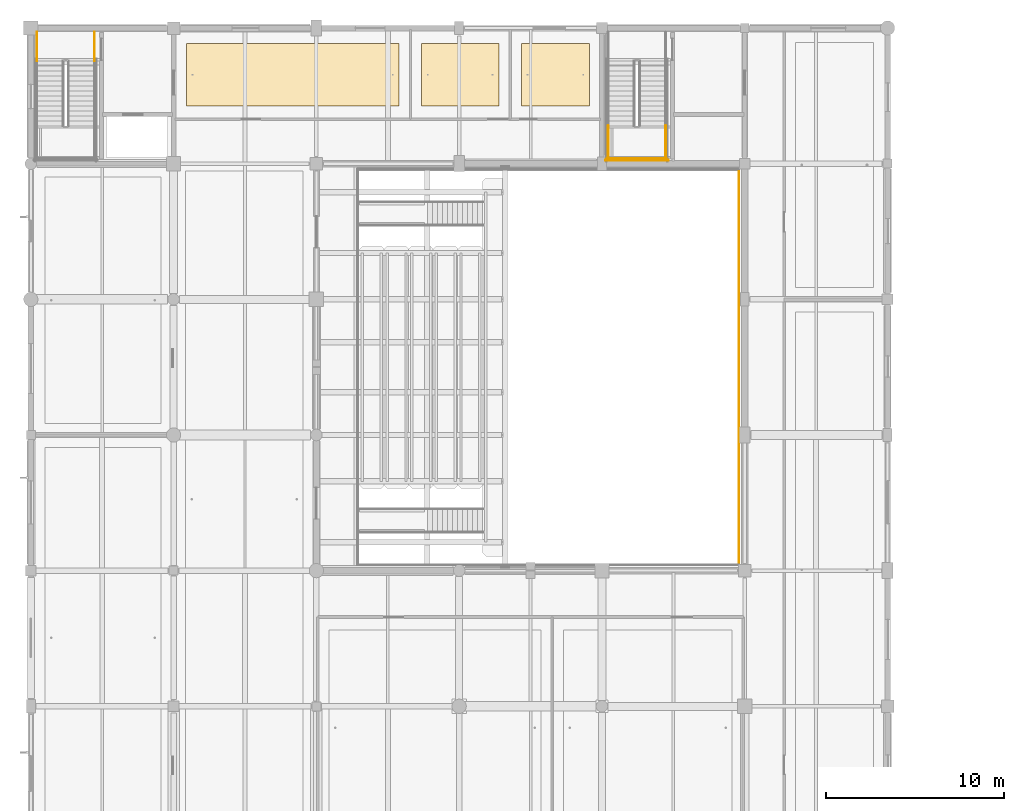
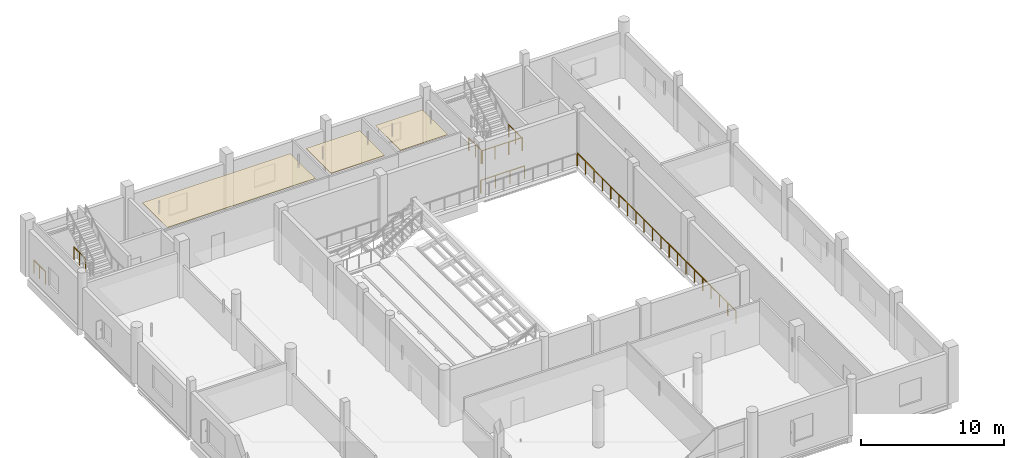
# One storey, part 140 of 147: 7 railings, 3 coverings.
"""IFC4 building model written with IfcOpenShell, lengths in metres."""

from ifc_helpers import new_model, si_unit, direction, frame, origin, origin_2d, place, context, subcontext, project, spatial, polyline, circle, outline, extrude, material, layer, layer_set, type_object, element, save


model = new_model("IFC4")

# Units and contexts
model_context = context("Model", 3, precision=1e-05, world=origin(), true_north=direction((0.0, 1.0)))
body_context = subcontext(model_context, "Body", "Model", "MODEL_VIEW")
ifc_project = project(units=[si_unit("LENGTHUNIT", "METRE"), si_unit("AREAUNIT", "SQUARE_METRE"), si_unit("VOLUMEUNIT", "CUBIC_METRE"), si_unit("PLANEANGLEUNIT", "RADIAN"), si_unit("MASSUNIT", "GRAM", prefix="KILO")], contexts=[model_context])

# Site, building, storey
site_placement = place(None, origin())
site = spatial("IfcSite", under=ifc_project, at=site_placement, CompositionType="ELEMENT")
building_placement = place(site_placement, origin())
building = spatial("IfcBuilding", under=site, at=building_placement, Name="Khelvaren Railside Concert Hall", CompositionType="ELEMENT")
storey_placement = place(building_placement, frame((0.0, 0.0, 5.39990234375)))
storey = spatial("IfcBuildingStorey", under=building, at=storey_placement, Name="L01", CompositionType="ELEMENT", Elevation=5.39990234375)

# Coverings
ifc_material_1 = material(Name="Mineral-wool acoustic baffle ceiling", Category="gypsum")
ifc_layer_1 = layer(ifc_material_1, 0.0400390625)
ifc_layer_set_1 = layer_set([ifc_layer_1], Name="Mineral-wool acoustic baffle ceiling")
covering_type_1 = type_object("IfcCoveringType", Name="CLG20", PredefinedType="CEILING", material=ifc_layer_set_1)
covering_1_placement = place(storey_placement, frame((0.0, 0.0, 3.41015625)))
element("IfcCovering", 1, at=covering_1_placement, inside=storey, type_object=covering_type_1, Name="Suspended Acoustic Ceiling Pavilion Public WC L01", PredefinedType="CEILING", context=body_context, shape_type="SweptSolid", body=[
    extrude(outline(polyline([(21.89794921875, 109.6298828125), (26.218017578125, 109.6298828125), (26.218017578125, 113.1201171875), (21.89794921875, 113.1201171875), (21.89794921875, 109.6298828125)])), origin(), (0.0, 0.0, 1.0), 0.0400390625),
])
ifc_material_2 = material(Name="Micro-perforated timber acoustic ceiling", Category="wood")
ifc_layer_2 = layer(ifc_material_2, 0.030029296875)
ifc_layer_set_2 = layer_set([ifc_layer_2], Name="Micro-perforated timber acoustic ceiling")
covering_type_2 = type_object("IfcCoveringType", Name="CLG77", PredefinedType="CEILING", material=ifc_layer_set_2)
covering_2_placement = place(storey_placement, frame((0.0, 0.0, 3.420166015625)))
element("IfcCovering", 2, at=covering_2_placement, inside=storey, type_object=covering_type_2, Name="Suspended Acoustic Ceiling Chamber Green Room L01", PredefinedType="CEILING", context=body_context, shape_type="SweptSolid", body=[
    extrude(outline(polyline([(8.7099609375, 109.6298828125), (20.637939453125, 109.6298828125), (20.637939453125, 113.1201171875), (8.7099609375, 113.1201171875), (8.7099609375, 109.6298828125)])), origin(), (0.0, 0.0, 1.0), 0.030029296875),
])
covering_3_placement = place(storey_placement, frame((0.0, 0.0, 3.420166015625)))
element("IfcCovering", 3, at=covering_3_placement, inside=storey, type_object=covering_type_2, Name="Suspended Acoustic Ceiling Pavilion Accessible WC L01", PredefinedType="CEILING", context=body_context, shape_type="SweptSolid", body=[
    extrude(outline(polyline([(27.47802734375, 109.6298828125), (31.2900390625, 109.6298828125), (31.2900390625, 113.1201171875), (27.47802734375, 113.1201171875), (27.47802734375, 109.6298828125)])), origin(), (0.0, 0.0, 1.0), 0.030029296875),
])

# Railings
ifc_material_3 = material(Name="Painted architectural steel", Category="steel")
railing_type_1 = type_object("IfcRailingType", Name="GRD86", PredefinedType="GUARDRAIL", material=ifc_material_3)
for number, where, name in (
    (4, (0.35009765625, 113.760009765625, 0.0), "L01 ST-07 stair guard 8"),
    (5, (3.570068359375, 113.760009765625, 0.0), "L01 ST-07 stair guard 9"),
):
    element("IfcRailing", number, at=place(storey_placement, frame(where)), inside=storey, type_object=railing_type_1, Name=name, PredefinedType="GUARDRAIL", context=body_context, shape_type="SweptSolid", body=[
        extrude(circle(Radius=0.02392578125, at=origin_2d()), frame((0.0, 0.0, 1.076171875), z_axis=(0.0, -1.0, 0.0), x_axis=(1.0, 0.0, 0.0)), (0.0, 0.0, 1.0), 1.60009765625),
        extrude(circle(Radius=0.02099609375, at=origin_2d()), origin(), (0.0, 0.0, 1.0), 1.052001953125),
        extrude(circle(Radius=0.02099609375, at=origin_2d()), frame((0.0, -0.800048828125, 0.0)), (0.0, 0.0, 1.0), 1.052001953125),
        extrude(circle(Radius=0.02099609375, at=origin_2d()), frame((0.0, -1.60009765625, 0.0)), (0.0, 0.0, 1.0), 1.052001953125),
    ])
for number, where, name in (
    (6, (32.35009765625, 108.52001953125, 2.400146484375), "L01 ST-08 stair guard 3"),
    (7, (35.570068359375, 108.52001953125, 2.400146484375), "L01 ST-08 stair guard 4"),
):
    element("IfcRailing", number, at=place(storey_placement, frame(where)), inside=storey, type_object=railing_type_1, Name=name, PredefinedType="GUARDRAIL", context=body_context, shape_type="SweptSolid", body=[
        extrude(circle(Radius=0.02392578125, at=origin_2d()), frame((0.0, 0.0, 1.076171875), z_axis=(0.0, -1.0, 0.0), x_axis=(1.0, 0.0, 0.0)), (0.0, 0.0, 1.0), 1.880126953125),
        extrude(circle(Radius=0.02099609375, at=origin_2d()), origin(), (0.0, 0.0, 1.0), 1.052001953125),
        extrude(circle(Radius=0.02099609375, at=origin_2d()), frame((0.0, -0.93994140625, 0.0)), (0.0, 0.0, 1.0), 1.052001953125),
        extrude(circle(Radius=0.02099609375, at=origin_2d()), frame((0.0, -1.880126953125, 0.0)), (0.0, 0.0, 1.0), 1.052001953125),
    ])
railing_1_placement = place(storey_placement, frame((32.300048828125, 106.68994140625, 2.400146484375)))
element("IfcRailing", 8, at=railing_1_placement, inside=storey, type_object=railing_type_1, Name="L01 ST-08 stair guard 5", PredefinedType="GUARDRAIL", context=body_context, shape_type="SweptSolid", body=[
    extrude(circle(Radius=0.02392578125, at=origin_2d()), frame((0.0, 0.0, 1.076171875), z_axis=(1.0, 0.0, 0.0), x_axis=(0.0, 1.0, 0.0)), (0.0, 0.0, 1.0), 3.320068359375),
    extrude(circle(Radius=0.02099609375, at=origin_2d()), origin(), (0.0, 0.0, 1.0), 1.052001953125),
    extrude(circle(Radius=0.02099609375, at=origin_2d()), frame((1.106689453125, 0.0, 0.0)), (0.0, 0.0, 1.0), 1.052001953125),
    extrude(circle(Radius=0.02099609375, at=origin_2d()), frame((2.21337890625, 0.0, 0.0)), (0.0, 0.0, 1.0), 1.052001953125),
    extrude(circle(Radius=0.02099609375, at=origin_2d()), frame((3.320068359375, 0.0, 0.0)), (0.0, 0.0, 1.0), 1.052001953125),
])
railing_2_placement = place(storey_placement, frame((32.199951171875, 106.590087890625, 0.0)))
element("IfcRailing", 9, at=railing_2_placement, inside=storey, type_object=railing_type_1, Name="L01 ST-08 stair guard 12", PredefinedType="GUARDRAIL", context=body_context, shape_type="SweptSolid", body=[
    extrude(circle(Radius=0.02392578125, at=origin_2d()), frame((0.0, 0.0, 1.076171875), z_axis=(1.0, 0.0, 0.0), x_axis=(0.0, 1.0, 0.0)), (0.0, 0.0, 1.0), 3.52001953125),
    extrude(circle(Radius=0.02099609375, at=origin_2d()), origin(), (0.0, 0.0, 1.0), 1.052001953125),
    extrude(circle(Radius=0.02099609375, at=origin_2d()), frame((1.17333984375, 0.0, 0.0)), (0.0, 0.0, 1.0), 1.052001953125),
    extrude(circle(Radius=0.02099609375, at=origin_2d()), frame((2.3466796875, 0.0, 0.0)), (0.0, 0.0, 1.0), 1.052001953125),
    extrude(circle(Radius=0.02099609375, at=origin_2d()), frame((3.52001953125, 0.0, 0.0)), (0.0, 0.0, 1.0), 1.052001953125),
])
ifc_material_4 = material(Name="Acoustic bronze and laminated glass guardrail", Category="glass")
railing_type_2 = type_object("IfcRailingType", Name="GRD91", PredefinedType="GUARDRAIL", material=ifc_material_4)
railing_3_placement = place(storey_placement, frame((39.679931640625, 83.919921875, 0.0)))
element("IfcRailing", 10, at=railing_3_placement, inside=storey, type_object=railing_type_2, Name="V4 L01 Acoustic Bowl Edge Guardrail E", PredefinedType="GUARDRAIL", context=body_context, shape_type="SweptSolid", body=[
    extrude(circle(Radius=0.02392578125, at=origin_2d()), frame((0.0, 0.0, 1.076171875), z_axis=(0.0, 1.0, 0.0), x_axis=(-1.0, 0.0, 0.0)), (0.0, 0.0, 1.0), 22.16015625),
    extrude(circle(Radius=0.02099609375, at=origin_2d()), origin(), (0.0, 0.0, 1.0), 1.052001953125),
    extrude(circle(Radius=0.02099609375, at=origin_2d()), frame((0.0, 1.166259765625, 0.0)), (0.0, 0.0, 1.0), 1.052001953125),
    extrude(circle(Radius=0.02099609375, at=origin_2d()), frame((0.0, 2.332763671875, 0.0)), (0.0, 0.0, 1.0), 1.052001953125),
    extrude(circle(Radius=0.02099609375, at=origin_2d()), frame((0.0, 3.4990234375, 0.0)), (0.0, 0.0, 1.0), 1.052001953125),
    extrude(circle(Radius=0.02099609375, at=origin_2d()), frame((0.0, 4.665283203125, 0.0)), (0.0, 0.0, 1.0), 1.052001953125),
    extrude(circle(Radius=0.02099609375, at=origin_2d()), frame((0.0, 5.83154296875, 0.0)), (0.0, 0.0, 1.0), 1.052001953125),
    extrude(circle(Radius=0.02099609375, at=origin_2d()), frame((0.0, 6.998046875, 0.0)), (0.0, 0.0, 1.0), 1.052001953125),
    extrude(circle(Radius=0.02099609375, at=origin_2d()), frame((0.0, 8.164306640625, 0.0)), (0.0, 0.0, 1.0), 1.052001953125),
    extrude(circle(Radius=0.02099609375, at=origin_2d()), frame((0.0, 9.33056640625, 0.0)), (0.0, 0.0, 1.0), 1.052001953125),
    extrude(circle(Radius=0.02099609375, at=origin_2d()), frame((0.0, 10.496826171875, 0.0)), (0.0, 0.0, 1.0), 1.052001953125),
    extrude(circle(Radius=0.02099609375, at=origin_2d()), frame((0.0, 11.663330078125, 0.0)), (0.0, 0.0, 1.0), 1.052001953125),
    extrude(circle(Radius=0.02099609375, at=origin_2d()), frame((0.0, 12.82958984375, 0.0)), (0.0, 0.0, 1.0), 1.052001953125),
    extrude(circle(Radius=0.02099609375, at=origin_2d()), frame((0.0, 13.995849609375, 0.0)), (0.0, 0.0, 1.0), 1.052001953125),
    extrude(circle(Radius=0.02099609375, at=origin_2d()), frame((0.0, 15.162109375, 0.0)), (0.0, 0.0, 1.0), 1.052001953125),
    extrude(circle(Radius=0.02099609375, at=origin_2d()), frame((0.0, 16.32861328125, 0.0)), (0.0, 0.0, 1.0), 1.052001953125),
    extrude(circle(Radius=0.02099609375, at=origin_2d()), frame((0.0, 17.494873046875, 0.0)), (0.0, 0.0, 1.0), 1.052001953125),
    extrude(circle(Radius=0.02099609375, at=origin_2d()), frame((0.0, 18.6611328125, 0.0)), (0.0, 0.0, 1.0), 1.052001953125),
    extrude(circle(Radius=0.02099609375, at=origin_2d()), frame((0.0, 19.827392578125, 0.0)), (0.0, 0.0, 1.0), 1.052001953125),
    extrude(circle(Radius=0.02099609375, at=origin_2d()), frame((0.0, 20.993896484375, 0.0)), (0.0, 0.0, 1.0), 1.052001953125),
    extrude(circle(Radius=0.02099609375, at=origin_2d()), frame((0.0, 22.16015625, 0.0)), (0.0, 0.0, 1.0), 1.052001953125),
])

save(model, "model.ifc")
